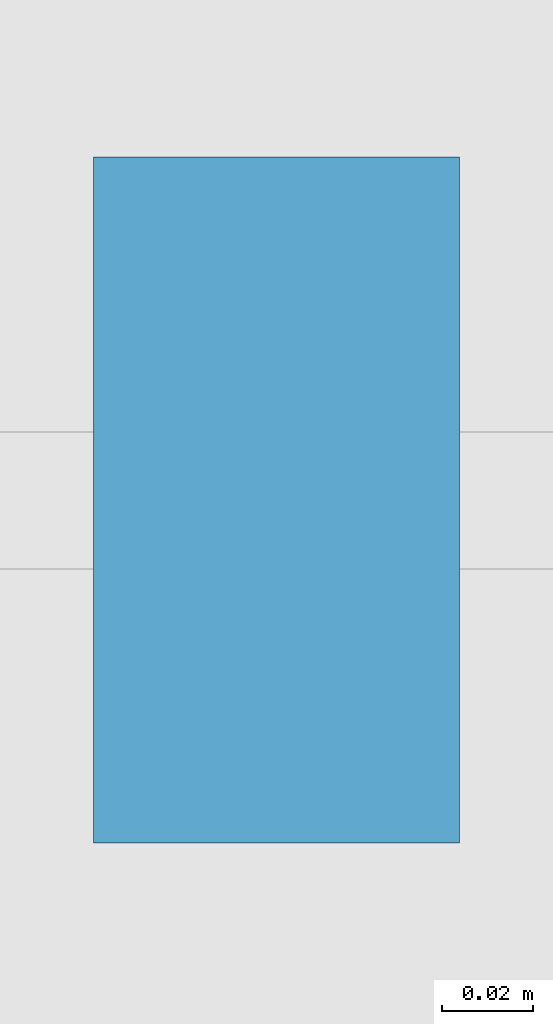
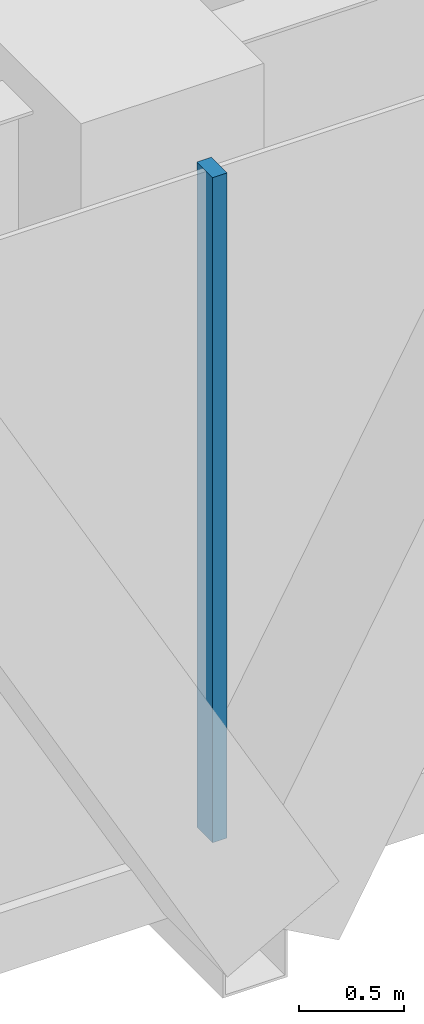
# One storey, part 5 of 21: 1 member, 1 element without a shape of its own.
"""IFC4 building model written with IfcOpenShell, lengths in metres."""

import ifcopenshell
import ifcopenshell.guid

model = None  # the IFC model being written
_history = None  # IfcOwnerHistory: only IFC2X3 demands one
_inside = {}  # id of a spatial element -> (the spatial element, [elements in it])
_under = {}  # id of a project, library or spatial element -> (it, [spatial elements below it])
_declared = {}  # id of a project -> (the project, [libraries it declares])
_typed = {}  # id of a type object -> (the type object, [elements of that type])
_made_of = {}  # id of a material, layer set ... -> (it, [elements and type objects made of it])


def new_model(schema):
    """Start an empty IFC model of exactly this schema.

    Asked for "IFC4X3", IfcOpenShell would pick the latest addendum, in which some entities
    have other attributes; the version numbers below select the first issue.
    IFC2X3 requires an IfcOwnerHistory on every rooted entity: one is made here for all.
    """
    global model, _history
    if schema == "IFC4X3":
        model = ifcopenshell.file(schema_version=(4, 3, 0, 0))
    else:
        model = ifcopenshell.file(schema=schema)
    _inside.clear()
    _under.clear()
    _declared.clear()
    _typed.clear()
    _made_of.clear()
    _history = None
    if model.schema == "IFC2X3":
        org = make("IfcOrganization", Name="unknown")
        user = make(
            "IfcPersonAndOrganization",
            ThePerson=make("IfcPerson", FamilyName="unknown"),
            TheOrganization=org,
        )
        app = make(
            "IfcApplication",
            ApplicationDeveloper=org,
            Version="unknown",
            ApplicationFullName="unknown",
            ApplicationIdentifier="unknown",
        )
        _history = make(
            "IfcOwnerHistory",
            OwningUser=user,
            OwningApplication=app,
            ChangeAction="ADDED",
            CreationDate=0,
        )
    return model


def make(cls, **values):
    """One entity of the class cls with the attributes given. An attribute that is None is left unset."""
    return model.create_entity(
        cls, **{name: value for name, value in values.items() if value is not None}
    )


def rooted(cls, **values):
    """An entity with a GlobalId (a new one), such as an element, a storey or a relation."""
    return make(cls, GlobalId=ifcopenshell.guid.new(), OwnerHistory=_history, **values)


def si_unit(unit_type, name, prefix=None):
    """IfcSIUnit, for example si_unit("LENGTHUNIT", "METRE", prefix="MILLI")."""
    return make("IfcSIUnit", UnitType=unit_type, Prefix=prefix, Name=name)


def assignment(units):
    """IfcUnitAssignment: the units of a project."""
    return None if units is None else make("IfcUnitAssignment", Units=units)


def point(xyz):
    """IfcCartesianPoint."""
    return None if xyz is None else make("IfcCartesianPoint", Coordinates=xyz)


def direction(xyz):
    """IfcDirection."""
    return None if xyz is None else make("IfcDirection", DirectionRatios=xyz)


def frame(location, z_axis=None, x_axis=None):
    """IfcAxis2Placement3D, a coordinate frame: its origin and axes. An axis left out is left unset."""
    return make(
        "IfcAxis2Placement3D",
        Location=point(location),
        Axis=direction(z_axis),
        RefDirection=direction(x_axis),
    )


def frame_2d(location, x_axis=None):
    """IfcAxis2Placement2D, a coordinate frame in the plane: its origin and x axis."""
    return make(
        "IfcAxis2Placement2D", Location=point(location), RefDirection=direction(x_axis)
    )


def origin():
    """The frame at (0, 0, 0) with its axes left unset."""
    return frame((0.0, 0.0, 0.0))


def origin_2d():
    """The frame at (0, 0) in the plane with its x axis left unset."""
    return frame_2d((0.0, 0.0))


def place(relative_to, where):
    """IfcLocalPlacement: puts the frame where relative to a parent placement (None: the world)."""
    return make(
        "IfcLocalPlacement", PlacementRelTo=relative_to, RelativePlacement=where
    )


def context(
    kind, dimensions, precision=None, world=None, true_north=None, identifier=None
):
    """IfcGeometricRepresentationContext, for example the 3D "Model" context."""
    return make(
        "IfcGeometricRepresentationContext",
        ContextIdentifier=identifier,
        ContextType=kind,
        CoordinateSpaceDimension=dimensions,
        Precision=precision,
        WorldCoordinateSystem=world,
        TrueNorth=true_north,
    )


def subcontext(parent, identifier, kind, view, scale=None):
    """IfcGeometricRepresentationSubContext, for example "Body" below "Model"."""
    return make(
        "IfcGeometricRepresentationSubContext",
        ContextIdentifier=identifier,
        ContextType=kind,
        ParentContext=parent,
        TargetScale=scale,
        TargetView=view,
    )


def project(units=None, contexts=None):
    """IfcProject with its units and contexts."""
    return rooted(
        "IfcProject",
        Name="project",
        RepresentationContexts=contexts,
        UnitsInContext=assignment(units),
    )


def spatial(cls, under=None, at=None, **own):
    """A site, building, storey or space (cls), placed at a placement, below another one or the project."""
    s = rooted(cls, ObjectPlacement=at, **own)
    if under is not None:
        _under.setdefault(under.id(), (under, []))[1].append(s)
    return s


def profile(cls, at=None, kind="AREA", **sizes):
    """A parametric profile (cls). Its sizes go by their IFC names, for example OverallWidth=200.0."""
    return make(cls, ProfileType=kind, Position=at, **sizes)


def rectangle(**sizes):
    """IfcRectangleProfileDef."""
    return profile("IfcRectangleProfileDef", **sizes)


def extrude(swept, where, along, depth):
    """IfcExtrudedAreaSolid: the profile swept, set in the frame where, extruded along a direction by depth."""
    return make(
        "IfcExtrudedAreaSolid",
        SweptArea=swept,
        Position=where,
        ExtrudedDirection=direction(along),
        Depth=depth,
    )


def shape(context_of_items, identifier, shape_type, items):
    """IfcShapeRepresentation: the items that make up one representation, for example the "Body"."""
    return make(
        "IfcShapeRepresentation",
        ContextOfItems=context_of_items,
        RepresentationIdentifier=identifier,
        RepresentationType=shape_type,
        Items=items,
    )


def material(Name=None, Category=None):
    """IfcMaterial."""
    return make("IfcMaterial", Name=Name, Category=Category)


def layer(
    of_material, thickness, ventilated=None, Name=None, Category=None, Priority=None
):
    """IfcMaterialLayer: one layer of a wall or slab, of a material (None: an air gap)."""
    return make(
        "IfcMaterialLayer",
        Material=of_material,
        LayerThickness=thickness,
        IsVentilated=ventilated,
        Name=Name,
        Category=Category,
        Priority=Priority,
    )


def layer_set(layers, Name=None):
    """IfcMaterialLayerSet."""
    return make("IfcMaterialLayerSet", MaterialLayers=layers, LayerSetName=Name)


def material_profile(
    of_material, cross_section, Name=None, Category=None, Priority=None
):
    """IfcMaterialProfile: a cross section and its material."""
    return make(
        "IfcMaterialProfile",
        Name=Name,
        Material=of_material,
        Profile=cross_section,
        Priority=Priority,
        Category=Category,
    )


def profile_set(profiles, Name=None, composite=None):
    """IfcMaterialProfileSet."""
    return make(
        "IfcMaterialProfileSet",
        Name=Name,
        MaterialProfiles=profiles,
        CompositeProfile=composite,
    )


def made_of(thing, what):
    """Note that an element or type object is made of a material, layer set ...; save() writes the relation."""
    if what is not None:
        _made_of.setdefault(what.id(), (what, []))[1].append(thing)
    return thing


def type_object(cls, material=None, **own):
    """A type object (cls), such as IfcWallType, which elements share."""
    return made_of(rooted(cls, **own), material)


def element(
    cls,
    number,
    at=None,
    inside=None,
    cuts=None,
    type_object=None,
    material=None,
    context=None,
    identifier="Body",
    shape_type=None,
    held_by="IfcProductDefinitionShape",
    body=None,
    shapes=None,
    **own,
):
    """One element of the class cls, such as IfcWall. Its Tag is "e" and its number.

    at: its placement. inside: the storey or other place that contains it. cuts: it is an
    opening in that element (IfcRelVoidsElement). A single representation is given by context,
    identifier, shape_type and body (its items); several are given by shapes. held_by: the class
    of the entity that holds the representations. save() writes the other relations.
    """
    e = rooted(cls, Tag="e%d" % number, ObjectPlacement=at, **own)
    if body is not None:
        shapes = [shape(context, identifier, shape_type, body)]
    if shapes is not None:
        e.Representation = make(held_by, Representations=shapes)
    if inside is not None:
        _inside.setdefault(inside.id(), (inside, []))[1].append(e)
    if cuts is not None:
        rooted(
            "IfcRelVoidsElement", RelatingBuildingElement=cuts, RelatedOpeningElement=e
        )
    if type_object is not None:
        _typed.setdefault(type_object.id(), (type_object, []))[1].append(e)
    return made_of(e, material)


def aggregate(whole, parts):
    """IfcRelAggregates: a whole, such as a stair, and the parts it consists of."""
    return rooted("IfcRelAggregates", RelatingObject=whole, RelatedObjects=parts)


def save(model, path):
    """Write the relations noted so far, then the file.

    IfcRelAggregates (storeys below a building ...), IfcRelContainedInSpatialStructure (elements
    in a storey), IfcRelDefinesByType, IfcRelAssociatesMaterial and IfcRelDeclares: one each for
    every whole, place, type object, material and project.
    """
    for whole, parts in _under.values():
        aggregate(whole, parts)
    for where, things in _inside.values():
        rooted(
            "IfcRelContainedInSpatialStructure",
            RelatedElements=things,
            RelatingStructure=where,
        )
    for kind, things in _typed.values():
        rooted("IfcRelDefinesByType", RelatedObjects=things, RelatingType=kind)
    for what, things in _made_of.values():
        rooted("IfcRelAssociatesMaterial", RelatedObjects=things, RelatingMaterial=what)
    for by, libraries in _declared.values():
        rooted("IfcRelDeclares", RelatingContext=by, RelatedDefinitions=libraries)
    model.write(path)


model = new_model("IFC4")

# Units and contexts
model_context = context("Model", 3, precision=1e-05, world=origin(), true_north=direction((0.0, 1.0)))
body_context = subcontext(model_context, "Body", "Model", "MODEL_VIEW")
ifc_project = project(units=[si_unit("LENGTHUNIT", "METRE"), si_unit("AREAUNIT", "SQUARE_METRE"), si_unit("VOLUMEUNIT", "CUBIC_METRE"), si_unit("PLANEANGLEUNIT", "RADIAN"), si_unit("MASSUNIT", "GRAM", prefix="KILO")], contexts=[model_context])

# Site, building, storey
site_placement = place(None, origin())
site = spatial("IfcSite", under=ifc_project, at=site_placement, CompositionType="ELEMENT")
building_placement = place(site_placement, origin())
building = spatial("IfcBuilding", under=site, at=building_placement, Name="Firuza Gate Tower and Library", CompositionType="ELEMENT")
storey_placement = place(building_placement, frame((0.0, 0.0, 107.199951171875)))
storey = spatial("IfcBuildingStorey", under=building, at=storey_placement, Name="L24", CompositionType="ELEMENT", Elevation=107.199951171875)

# Curtain wall, member
ifc_material_1 = material(Name="Aluminium 6063-T6", Category="aluminium")
ifc_layer = layer(ifc_material_1, 0.14990234375)
ifc_layer_set = layer_set([ifc_layer], Name="Unitised curtain wall, offices")
curtain_wall_type = type_object("IfcCurtainWallType", Name="Unitised curtain wall, offices", PredefinedType="NOTDEFINED", material=ifc_layer_set)
curtain_wall_placement = place(storey_placement, origin())
curtain_wall = element("IfcCurtainWall", 1, at=curtain_wall_placement, inside=storey, type_object=curtain_wall_type, Name="CW1 L24 S face", PredefinedType="NOTDEFINED")
ifc_material_2 = material(Name="Aluminium 6063-T6", Category="aluminium")
ifc_material_profile = material_profile(ifc_material_2, rectangle(XDim=0.14990234375, YDim=0.080078125, at=origin_2d()))
ifc_profile_set = profile_set([ifc_material_profile], Name="Aluminium 6063-T6")
member_type = type_object("IfcMemberType", Name="Curtain wall mullion 80x150", PredefinedType="MULLION", material=ifc_profile_set)
member_placement = place(storey_placement, frame((75.0, 54.566162109375, 0.150146484375), z_axis=(0.0, 0.0, 1.0), x_axis=(0.0, 1.0, 0.0)))
member = element("IfcMember", 2, at=member_placement, type_object=member_type, Name="Mullion", PredefinedType="MULLION", context=body_context, shape_type="SweptSolid", body=[
    extrude(rectangle(XDim=0.14990234375, YDim=0.080078125, at=origin_2d()), origin(), (0.0, 0.0, 1.0), 3.849853515625),
])
aggregate(curtain_wall, [member])

save(model, "model.ifc")
